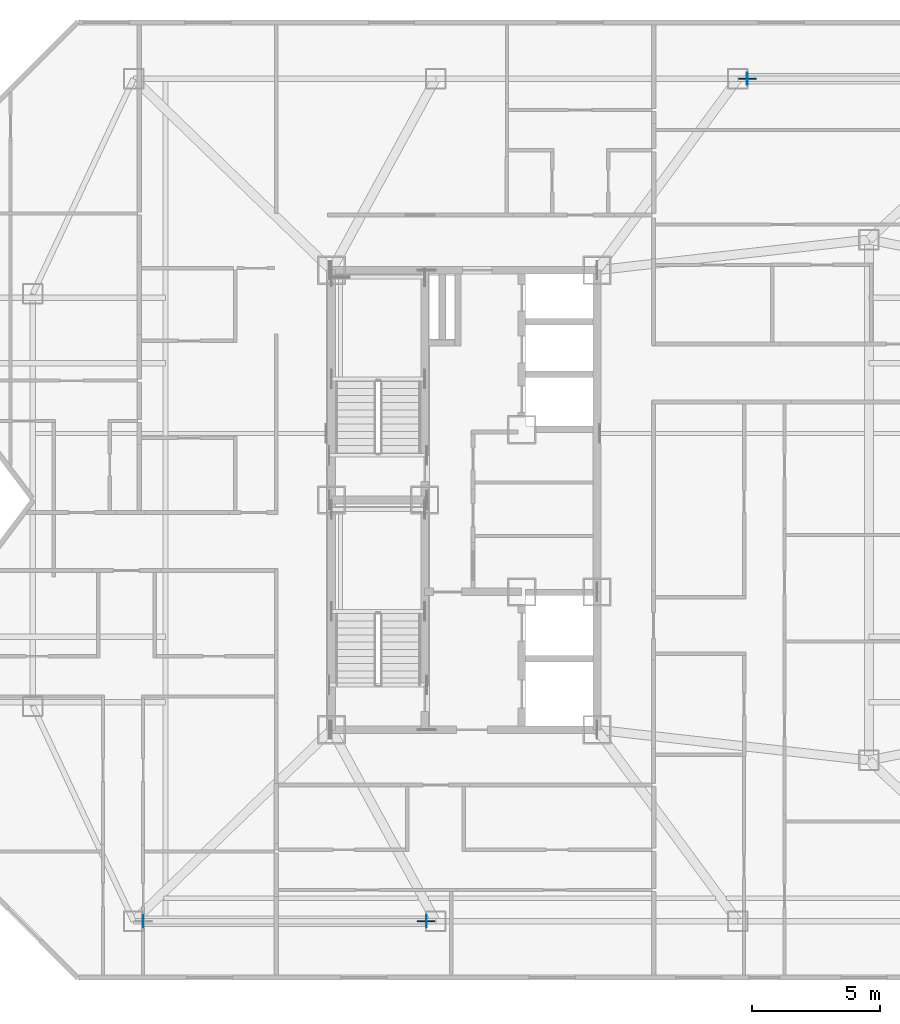
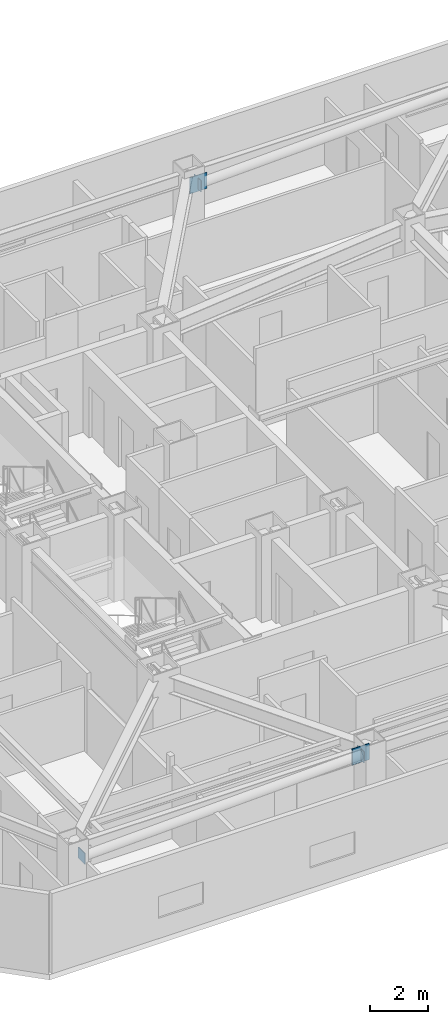
# One storey, part 10 of 20: 5 plates.
"""IFC4 building model written with IfcOpenShell, lengths in metres."""

from ifc_helpers import new_model, si_unit, direction, frame, origin, origin_2d, place, context, subcontext, project, spatial, rectangle, extrude, material, layer, layer_set, type_object, element, save


model = new_model("IFC4")

# Units and contexts
model_context = context("Model", 3, precision=1e-05, world=origin(), true_north=direction((0.0, 1.0)))
body_context = subcontext(model_context, "Body", "Model", "MODEL_VIEW")
ifc_project = project(units=[si_unit("LENGTHUNIT", "METRE"), si_unit("AREAUNIT", "SQUARE_METRE"), si_unit("VOLUMEUNIT", "CUBIC_METRE"), si_unit("PLANEANGLEUNIT", "RADIAN"), si_unit("MASSUNIT", "GRAM", prefix="KILO")], contexts=[model_context])

# Site, building, storey
site_placement = place(None, origin())
site = spatial("IfcSite", under=ifc_project, at=site_placement, CompositionType="ELEMENT")
building_placement = place(site_placement, origin())
building = spatial("IfcBuilding", under=site, at=building_placement, Name="Khamvora Tower", CompositionType="ELEMENT")
storey_placement = place(building_placement, frame((0.0, 0.0, 203.35009765625)))
storey = spatial("IfcBuildingStorey", under=building, at=storey_placement, Name="L52", CompositionType="ELEMENT", Elevation=203.35009765625)

# Plates
ifc_material_1 = material(Name="Steel S355", Category="steel")
ifc_layer_1 = layer(ifc_material_1, 0.02490234375)
ifc_layer_set_1 = layer_set([ifc_layer_1], Name="Steel S355")
plate_type_1 = type_object("IfcPlateType", Name="PL-CAP-25", PredefinedType="SHEET", material=ifc_layer_set_1)
for number, where, z_axis, x_axis, name in (
    (1, (21.617919921875, 11.5, 2.4609375), (0.0, 0.0, 1.0), (1.0, 0.0, 0.0), "L52 hollow section steel end cap plate 0988"),
    (2, (32.715087890625, 11.5, 2.85498046875), (0.0, 0.0, 1.0), (1.0, 0.0, 0.0), "L52 hollow section steel end cap plate 0989"),
    (3, (45.284912109375, 44.5, 2.4609375), (0.0, 0.0, 1.0), (1.0, 0.0, 0.0), "L52 hollow section steel end cap plate 0990"),
):
    element("IfcPlate", number, at=place(storey_placement, frame(where, z_axis=z_axis, x_axis=x_axis)), inside=storey, type_object=plate_type_1, Name=name, PredefinedType="SHEET", context=body_context, shape_type="SweptSolid", body=[
        extrude(rectangle(XDim=0.02490234375, YDim=0.466064453125, at=origin_2d()), origin(), (0.0, 0.0, 1.0), 0.466064453125),
    ])
ifc_material_2 = material(Name="Steel S460", Category="steel")
ifc_layer_2 = layer(ifc_material_2, 0.0400390625)
ifc_layer_set_2 = layer_set([ifc_layer_2], Name="Steel S460")
plate_type_2 = type_object("IfcPlateType", Name="PLT-GUS-40", PredefinedType="SHEET", material=ifc_layer_set_2)
for number, where, z_axis, x_axis, name in (
    (4, (32.702880859375, 11.5, 2.748046875), (0.0, 0.0, 1.0), (1.0, 0.0, 0.0), "L52 brace connection node gusset plate 0326"),
    (5, (45.297119140625, 44.5, 2.35400390625), (0.0, 0.0, 1.0), (1.0, 0.0, 0.0), "L52 brace connection node gusset plate 0327"),
):
    element("IfcPlate", number, at=place(storey_placement, frame(where, z_axis=z_axis, x_axis=x_axis)), inside=storey, type_object=plate_type_2, Name=name, PredefinedType="SHEET", context=body_context, shape_type="SweptSolid", body=[
        extrude(rectangle(XDim=0.679931640625, YDim=0.0400390625, at=origin_2d()), origin(), (0.0, 0.0, 1.0), 0.679931640625),
    ])

save(model, "model.ifc")
